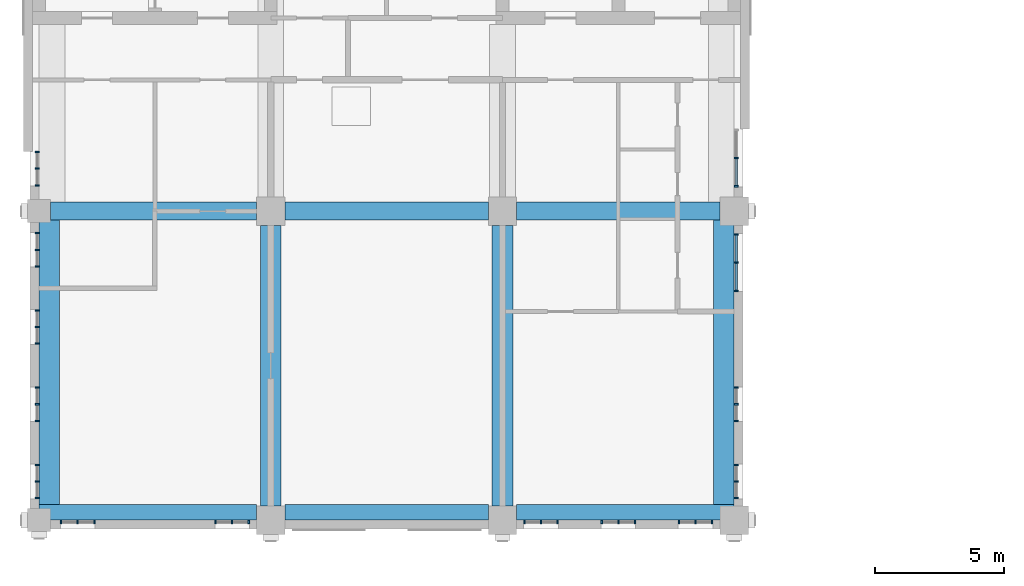
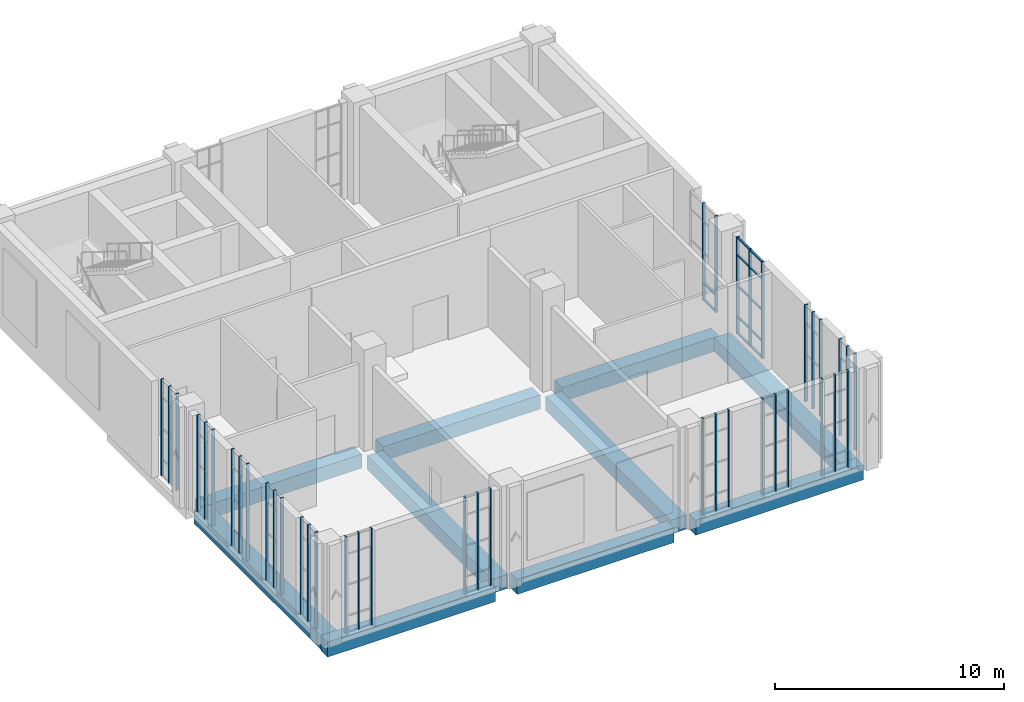
# One storey, part 2 of 39: 53 members, 10 beams, 14 elements without a shape of their own.
"""IFC4 building model written with IfcOpenShell, lengths in metres."""

from ifc_helpers import new_model, si_unit, direction, frame, origin, origin_2d, place, context, subcontext, project, spatial, rectangle, extrude, material, layer, layer_set, material_profile, profile_set, type_object, element, aggregate, save


model = new_model("IFC4")

# Units and contexts
model_context = context("Model", 3, precision=1e-05, world=origin(), true_north=direction((0.0, 1.0)))
body_context = subcontext(model_context, "Body", "Model", "MODEL_VIEW")
ifc_project = project(units=[si_unit("LENGTHUNIT", "METRE"), si_unit("AREAUNIT", "SQUARE_METRE"), si_unit("VOLUMEUNIT", "CUBIC_METRE"), si_unit("PLANEANGLEUNIT", "RADIAN"), si_unit("MASSUNIT", "GRAM", prefix="KILO")], contexts=[model_context])

# Site, building, storey
site_placement = place(None, origin())
site = spatial("IfcSite", under=ifc_project, at=site_placement, CompositionType="ELEMENT")
building_placement = place(site_placement, origin())
building = spatial("IfcBuilding", under=site, at=building_placement, Name="Aurelan Courthouse", CompositionType="ELEMENT")
storey_placement = place(building_placement, frame((0.0, 0.0, 28.199951171875)))
storey = spatial("IfcBuildingStorey", under=building, at=storey_placement, Name="L05", CompositionType="ELEMENT", Elevation=28.199951171875)

# Curtain wall, members
ifc_material_1 = material(Name="Bronze-finished aluminium and glass", Category="aluminium")
ifc_layer_1 = layer(ifc_material_1, 0.14990234375)
ifc_layer_set_1 = layer_set([ifc_layer_1], Name="Bronze-finished aluminium and glass")
curtain_wall_type_1 = type_object("IfcCurtainWallType", Name="Curtain wall 1350 x 5150", PredefinedType="NOTDEFINED", material=ifc_layer_set_1)
curtain_wall_1_placement = place(storey_placement, origin())
curtain_wall_1 = element("IfcCurtainWall", 1, at=curtain_wall_1_placement, inside=storey, type_object=curtain_wall_type_1, Name="Curtain wall CW-V5-L05-S01", PredefinedType="NOTDEFINED")
ifc_material_2 = material(Name="Bronze-finished aluminium", Category="aluminium")
ifc_material_profile_1 = material_profile(ifc_material_2, rectangle(XDim=0.14990234375, YDim=0.06005859375, at=origin_2d()), Name="Bronze mullion 60 x 150")
ifc_profile_set_1 = profile_set([ifc_material_profile_1], Name="Bronze-finished aluminium")
member_type_1 = type_object("IfcMemberType", Name="Curtain wall mullion 60 x 150", PredefinedType="MULLION", material=ifc_profile_set_1)
member_1_placement = place(storey_placement, frame((0.85498046875, -0.074951171875, 0.0), z_axis=(0.0, 0.0, 1.0), x_axis=(0.0, 1.0, 0.0)))
member_1 = element("IfcMember", 2, at=member_1_placement, type_object=member_type_1, Name="CW-V5-L05-S01 mullion 1", PredefinedType="MULLION", context=body_context, shape_type="SweptSolid", body=[
    extrude(rectangle(XDim=0.14990234375, YDim=0.06005859375, at=origin_2d()), origin(), (0.0, 0.0, 1.0), 5.150146484375),
])
member_2_placement = place(storey_placement, frame((1.5, -0.074951171875, 0.0), z_axis=(0.0, 0.0, 1.0), x_axis=(0.0, 1.0, 0.0)))
member_2 = element("IfcMember", 3, at=member_2_placement, type_object=member_type_1, Name="CW-V5-L05-S01 mullion 2", PredefinedType="MULLION", context=body_context, shape_type="SweptSolid", body=[
    extrude(rectangle(XDim=0.14990234375, YDim=0.06005859375, at=origin_2d()), origin(), (0.0, 0.0, 1.0), 5.150146484375),
])
member_3_placement = place(storey_placement, frame((2.14501953125, -0.074951171875, 0.0), z_axis=(0.0, 0.0, 1.0), x_axis=(0.0, 1.0, 0.0)))
member_3 = element("IfcMember", 4, at=member_3_placement, type_object=member_type_1, Name="CW-V5-L05-S01 mullion 3", PredefinedType="MULLION", context=body_context, shape_type="SweptSolid", body=[
    extrude(rectangle(XDim=0.14990234375, YDim=0.06005859375, at=origin_2d()), origin(), (0.0, 0.0, 1.0), 5.150146484375),
])
aggregate(curtain_wall_1, [member_1, member_2, member_3])

curtain_wall_2_placement = place(storey_placement, origin())
curtain_wall_2 = element("IfcCurtainWall", 5, at=curtain_wall_2_placement, inside=storey, type_object=curtain_wall_type_1, Name="Curtain wall CW-V5-L05-S02", PredefinedType="NOTDEFINED")
member_4_placement = place(storey_placement, frame((6.85498046875, -0.074951171875, 0.0), z_axis=(0.0, 0.0, 1.0), x_axis=(0.0, 1.0, 0.0)))
member_4 = element("IfcMember", 6, at=member_4_placement, type_object=member_type_1, Name="CW-V5-L05-S02 mullion 1", PredefinedType="MULLION", context=body_context, shape_type="SweptSolid", body=[
    extrude(rectangle(XDim=0.14990234375, YDim=0.06005859375, at=origin_2d()), origin(), (0.0, 0.0, 1.0), 5.150146484375),
])
member_5_placement = place(storey_placement, frame((7.5, -0.074951171875, 0.0), z_axis=(0.0, 0.0, 1.0), x_axis=(0.0, 1.0, 0.0)))
member_5 = element("IfcMember", 7, at=member_5_placement, type_object=member_type_1, Name="CW-V5-L05-S02 mullion 2", PredefinedType="MULLION", context=body_context, shape_type="SweptSolid", body=[
    extrude(rectangle(XDim=0.14990234375, YDim=0.06005859375, at=origin_2d()), origin(), (0.0, 0.0, 1.0), 5.150146484375),
])
member_6_placement = place(storey_placement, frame((8.14501953125, -0.074951171875, 0.0), z_axis=(0.0, 0.0, 1.0), x_axis=(0.0, 1.0, 0.0)))
member_6 = element("IfcMember", 8, at=member_6_placement, type_object=member_type_1, Name="CW-V5-L05-S02 mullion 3", PredefinedType="MULLION", context=body_context, shape_type="SweptSolid", body=[
    extrude(rectangle(XDim=0.14990234375, YDim=0.06005859375, at=origin_2d()), origin(), (0.0, 0.0, 1.0), 5.150146484375),
])
aggregate(curtain_wall_2, [member_4, member_5, member_6])

curtain_wall_3_placement = place(storey_placement, origin())
curtain_wall_3 = element("IfcCurtainWall", 9, at=curtain_wall_3_placement, inside=storey, type_object=curtain_wall_type_1, Name="Curtain wall CW-V5-L05-S03", PredefinedType="NOTDEFINED")
member_7_placement = place(storey_placement, frame((18.85498046875, -0.074951171875, 0.0), z_axis=(0.0, 0.0, 1.0), x_axis=(0.0, 1.0, 0.0)))
member_7 = element("IfcMember", 10, at=member_7_placement, type_object=member_type_1, Name="CW-V5-L05-S03 mullion 1", PredefinedType="MULLION", context=body_context, shape_type="SweptSolid", body=[
    extrude(rectangle(XDim=0.14990234375, YDim=0.06005859375, at=origin_2d()), origin(), (0.0, 0.0, 1.0), 5.150146484375),
])
member_8_placement = place(storey_placement, frame((19.5, -0.074951171875, 0.0), z_axis=(0.0, 0.0, 1.0), x_axis=(0.0, 1.0, 0.0)))
member_8 = element("IfcMember", 11, at=member_8_placement, type_object=member_type_1, Name="CW-V5-L05-S03 mullion 2", PredefinedType="MULLION", context=body_context, shape_type="SweptSolid", body=[
    extrude(rectangle(XDim=0.14990234375, YDim=0.06005859375, at=origin_2d()), origin(), (0.0, 0.0, 1.0), 5.150146484375),
])
member_9_placement = place(storey_placement, frame((20.14501953125, -0.074951171875, 0.0), z_axis=(0.0, 0.0, 1.0), x_axis=(0.0, 1.0, 0.0)))
member_9 = element("IfcMember", 12, at=member_9_placement, type_object=member_type_1, Name="CW-V5-L05-S03 mullion 3", PredefinedType="MULLION", context=body_context, shape_type="SweptSolid", body=[
    extrude(rectangle(XDim=0.14990234375, YDim=0.06005859375, at=origin_2d()), origin(), (0.0, 0.0, 1.0), 5.150146484375),
])
aggregate(curtain_wall_3, [member_7, member_8, member_9])

curtain_wall_4_placement = place(storey_placement, origin())
curtain_wall_4 = element("IfcCurtainWall", 13, at=curtain_wall_4_placement, inside=storey, type_object=curtain_wall_type_1, Name="Curtain wall CW-V5-L05-S04", PredefinedType="NOTDEFINED")
member_10_placement = place(storey_placement, frame((21.85498046875, -0.074951171875, 0.0), z_axis=(0.0, 0.0, 1.0), x_axis=(0.0, 1.0, 0.0)))
member_10 = element("IfcMember", 14, at=member_10_placement, type_object=member_type_1, Name="CW-V5-L05-S04 mullion 1", PredefinedType="MULLION", context=body_context, shape_type="SweptSolid", body=[
    extrude(rectangle(XDim=0.14990234375, YDim=0.06005859375, at=origin_2d()), origin(), (0.0, 0.0, 1.0), 5.150146484375),
])
member_11_placement = place(storey_placement, frame((22.5, -0.074951171875, 0.0), z_axis=(0.0, 0.0, 1.0), x_axis=(0.0, 1.0, 0.0)))
member_11 = element("IfcMember", 15, at=member_11_placement, type_object=member_type_1, Name="CW-V5-L05-S04 mullion 2", PredefinedType="MULLION", context=body_context, shape_type="SweptSolid", body=[
    extrude(rectangle(XDim=0.14990234375, YDim=0.06005859375, at=origin_2d()), origin(), (0.0, 0.0, 1.0), 5.150146484375),
])
member_12_placement = place(storey_placement, frame((23.14501953125, -0.074951171875, 0.0), z_axis=(0.0, 0.0, 1.0), x_axis=(0.0, 1.0, 0.0)))
member_12 = element("IfcMember", 16, at=member_12_placement, type_object=member_type_1, Name="CW-V5-L05-S04 mullion 3", PredefinedType="MULLION", context=body_context, shape_type="SweptSolid", body=[
    extrude(rectangle(XDim=0.14990234375, YDim=0.06005859375, at=origin_2d()), origin(), (0.0, 0.0, 1.0), 5.150146484375),
])
aggregate(curtain_wall_4, [member_10, member_11, member_12])

curtain_wall_5_placement = place(storey_placement, origin())
curtain_wall_5 = element("IfcCurtainWall", 17, at=curtain_wall_5_placement, inside=storey, type_object=curtain_wall_type_1, Name="Curtain wall CW-V5-L05-S05", PredefinedType="NOTDEFINED")
member_13_placement = place(storey_placement, frame((24.85498046875, -0.074951171875, 0.0), z_axis=(0.0, 0.0, 1.0), x_axis=(0.0, 1.0, 0.0)))
member_13 = element("IfcMember", 18, at=member_13_placement, type_object=member_type_1, Name="CW-V5-L05-S05 mullion 1", PredefinedType="MULLION", context=body_context, shape_type="SweptSolid", body=[
    extrude(rectangle(XDim=0.14990234375, YDim=0.06005859375, at=origin_2d()), origin(), (0.0, 0.0, 1.0), 5.150146484375),
])
member_14_placement = place(storey_placement, frame((25.5, -0.074951171875, 0.0), z_axis=(0.0, 0.0, 1.0), x_axis=(0.0, 1.0, 0.0)))
member_14 = element("IfcMember", 19, at=member_14_placement, type_object=member_type_1, Name="CW-V5-L05-S05 mullion 2", PredefinedType="MULLION", context=body_context, shape_type="SweptSolid", body=[
    extrude(rectangle(XDim=0.14990234375, YDim=0.06005859375, at=origin_2d()), origin(), (0.0, 0.0, 1.0), 5.150146484375),
])
member_15_placement = place(storey_placement, frame((26.14501953125, -0.074951171875, 0.0), z_axis=(0.0, 0.0, 1.0), x_axis=(0.0, 1.0, 0.0)))
member_15 = element("IfcMember", 20, at=member_15_placement, type_object=member_type_1, Name="CW-V5-L05-S05 mullion 3", PredefinedType="MULLION", context=body_context, shape_type="SweptSolid", body=[
    extrude(rectangle(XDim=0.14990234375, YDim=0.06005859375, at=origin_2d()), origin(), (0.0, 0.0, 1.0), 5.150146484375),
])
aggregate(curtain_wall_5, [member_13, member_14, member_15])

curtain_wall_6_placement = place(storey_placement, origin())
curtain_wall_6 = element("IfcCurtainWall", 21, at=curtain_wall_6_placement, inside=storey, type_object=curtain_wall_type_1, Name="Curtain wall CW-V5-L05-E01", PredefinedType="NOTDEFINED")
member_16_placement = place(storey_placement, frame((27.074951171875, 0.85498046875, 0.0), z_axis=(0.0, 0.0, 1.0), x_axis=(-1.0, 0.0, 0.0)))
member_16 = element("IfcMember", 22, at=member_16_placement, type_object=member_type_1, Name="CW-V5-L05-E01 mullion 1", PredefinedType="MULLION", context=body_context, shape_type="SweptSolid", body=[
    extrude(rectangle(XDim=0.14990234375, YDim=0.06005859375, at=origin_2d()), origin(), (0.0, 0.0, 1.0), 5.150146484375),
])
member_17_placement = place(storey_placement, frame((27.074951171875, 1.5, 0.0), z_axis=(0.0, 0.0, 1.0), x_axis=(-1.0, 0.0, 0.0)))
member_17 = element("IfcMember", 23, at=member_17_placement, type_object=member_type_1, Name="CW-V5-L05-E01 mullion 2", PredefinedType="MULLION", context=body_context, shape_type="SweptSolid", body=[
    extrude(rectangle(XDim=0.14990234375, YDim=0.06005859375, at=origin_2d()), origin(), (0.0, 0.0, 1.0), 5.150146484375),
])
member_18_placement = place(storey_placement, frame((27.074951171875, 2.14501953125, 0.0), z_axis=(0.0, 0.0, 1.0), x_axis=(-1.0, 0.0, 0.0)))
member_18 = element("IfcMember", 24, at=member_18_placement, type_object=member_type_1, Name="CW-V5-L05-E01 mullion 3", PredefinedType="MULLION", context=body_context, shape_type="SweptSolid", body=[
    extrude(rectangle(XDim=0.14990234375, YDim=0.06005859375, at=origin_2d()), origin(), (0.0, 0.0, 1.0), 5.150146484375),
])
aggregate(curtain_wall_6, [member_16, member_17, member_18])

curtain_wall_7_placement = place(storey_placement, origin())
curtain_wall_7 = element("IfcCurtainWall", 25, at=curtain_wall_7_placement, inside=storey, type_object=curtain_wall_type_1, Name="Curtain wall CW-V5-L05-E02", PredefinedType="NOTDEFINED")
member_19_placement = place(storey_placement, frame((27.074951171875, 3.85498046875, 0.0), z_axis=(0.0, 0.0, 1.0), x_axis=(-1.0, 0.0, 0.0)))
member_19 = element("IfcMember", 26, at=member_19_placement, type_object=member_type_1, Name="CW-V5-L05-E02 mullion 1", PredefinedType="MULLION", context=body_context, shape_type="SweptSolid", body=[
    extrude(rectangle(XDim=0.14990234375, YDim=0.06005859375, at=origin_2d()), origin(), (0.0, 0.0, 1.0), 5.150146484375),
])
member_20_placement = place(storey_placement, frame((27.074951171875, 4.5, 0.0), z_axis=(0.0, 0.0, 1.0), x_axis=(-1.0, 0.0, 0.0)))
member_20 = element("IfcMember", 27, at=member_20_placement, type_object=member_type_1, Name="CW-V5-L05-E02 mullion 2", PredefinedType="MULLION", context=body_context, shape_type="SweptSolid", body=[
    extrude(rectangle(XDim=0.14990234375, YDim=0.06005859375, at=origin_2d()), origin(), (0.0, 0.0, 1.0), 5.150146484375),
])
member_21_placement = place(storey_placement, frame((27.074951171875, 5.14501953125, 0.0), z_axis=(0.0, 0.0, 1.0), x_axis=(-1.0, 0.0, 0.0)))
member_21 = element("IfcMember", 28, at=member_21_placement, type_object=member_type_1, Name="CW-V5-L05-E02 mullion 3", PredefinedType="MULLION", context=body_context, shape_type="SweptSolid", body=[
    extrude(rectangle(XDim=0.14990234375, YDim=0.06005859375, at=origin_2d()), origin(), (0.0, 0.0, 1.0), 5.150146484375),
])
aggregate(curtain_wall_7, [member_19, member_20, member_21])

ifc_layer_2 = layer(ifc_material_1, 0.14990234375)
ifc_layer_set_2 = layer_set([ifc_layer_2], Name="Bronze-finished aluminium and glass")
curtain_wall_type_2 = type_object("IfcCurtainWallType", Name="Curtain wall 2250 x 5150", PredefinedType="NOTDEFINED", material=ifc_layer_set_2)
curtain_wall_8_placement = place(storey_placement, origin())
curtain_wall_8 = element("IfcCurtainWall", 29, at=curtain_wall_8_placement, inside=storey, type_object=curtain_wall_type_2, Name="Curtain wall CW-V5-L05-E03", PredefinedType="NOTDEFINED")
member_22_placement = place(storey_placement, frame((27.074951171875, 8.905029296875, 0.0), z_axis=(0.0, 0.0, 1.0), x_axis=(-1.0, 0.0, 0.0)))
member_22 = element("IfcMember", 30, at=member_22_placement, type_object=member_type_1, Name="CW-V5-L05-E03 mullion 1", PredefinedType="MULLION", context=body_context, shape_type="SweptSolid", body=[
    extrude(rectangle(XDim=0.14990234375, YDim=0.06005859375, at=origin_2d()), origin(), (0.0, 0.0, 1.0), 5.150146484375),
])
member_23_placement = place(storey_placement, frame((27.074951171875, 10.0, 0.0), z_axis=(0.0, 0.0, 1.0), x_axis=(-1.0, 0.0, 0.0)))
member_23 = element("IfcMember", 31, at=member_23_placement, type_object=member_type_1, Name="CW-V5-L05-E03 mullion 2", PredefinedType="MULLION", context=body_context, shape_type="SweptSolid", body=[
    extrude(rectangle(XDim=0.14990234375, YDim=0.06005859375, at=origin_2d()), origin(), (0.0, 0.0, 1.0), 5.150146484375),
])
member_24_placement = place(storey_placement, frame((27.074951171875, 11.094970703125, 0.0), z_axis=(0.0, 0.0, 1.0), x_axis=(-1.0, 0.0, 0.0)))
member_24 = element("IfcMember", 32, at=member_24_placement, type_object=member_type_1, Name="CW-V5-L05-E03 mullion 3", PredefinedType="MULLION", context=body_context, shape_type="SweptSolid", body=[
    extrude(rectangle(XDim=0.14990234375, YDim=0.06005859375, at=origin_2d()), origin(), (0.0, 0.0, 1.0), 5.150146484375),
])

curtain_wall_9_placement = place(storey_placement, origin())
curtain_wall_9 = element("IfcCurtainWall", 33, at=curtain_wall_9_placement, inside=storey, type_object=curtain_wall_type_2, Name="Curtain wall CW-V5-L05-E04", PredefinedType="NOTDEFINED")
member_25_placement = place(storey_placement, frame((27.074951171875, 12.967529296875, 0.0), z_axis=(0.0, 0.0, 1.0), x_axis=(-1.0, 0.0, 0.0)))
member_25 = element("IfcMember", 34, at=member_25_placement, type_object=member_type_1, Name="CW-V5-L05-E04 mullion 1", PredefinedType="MULLION", context=body_context, shape_type="SweptSolid", body=[
    extrude(rectangle(XDim=0.14990234375, YDim=0.06005859375, at=origin_2d()), origin(), (0.0, 0.0, 1.0), 5.150146484375),
])
member_26_placement = place(storey_placement, frame((27.074951171875, 14.0625, 0.0), z_axis=(0.0, 0.0, 1.0), x_axis=(-1.0, 0.0, 0.0)))
member_26 = element("IfcMember", 35, at=member_26_placement, type_object=member_type_1, Name="CW-V5-L05-E04 mullion 2", PredefinedType="MULLION", context=body_context, shape_type="SweptSolid", body=[
    extrude(rectangle(XDim=0.14990234375, YDim=0.06005859375, at=origin_2d()), origin(), (0.0, 0.0, 1.0), 5.150146484375),
])

curtain_wall_10_placement = place(storey_placement, origin())
curtain_wall_10 = element("IfcCurtainWall", 36, at=curtain_wall_10_placement, inside=storey, type_object=curtain_wall_type_1, Name="Curtain wall CW-V5-L05-W01", PredefinedType="NOTDEFINED")
member_27_placement = place(storey_placement, frame((-0.074951171875, 0.85498046875, 0.0), z_axis=(0.0, 0.0, 1.0), x_axis=(-1.0, 0.0, 0.0)))
member_27 = element("IfcMember", 37, at=member_27_placement, type_object=member_type_1, Name="CW-V5-L05-W01 mullion 1", PredefinedType="MULLION", context=body_context, shape_type="SweptSolid", body=[
    extrude(rectangle(XDim=0.14990234375, YDim=0.06005859375, at=origin_2d()), origin(), (0.0, 0.0, 1.0), 5.150146484375),
])
member_28_placement = place(storey_placement, frame((-0.074951171875, 1.5, 0.0), z_axis=(0.0, 0.0, 1.0), x_axis=(-1.0, 0.0, 0.0)))
member_28 = element("IfcMember", 38, at=member_28_placement, type_object=member_type_1, Name="CW-V5-L05-W01 mullion 2", PredefinedType="MULLION", context=body_context, shape_type="SweptSolid", body=[
    extrude(rectangle(XDim=0.14990234375, YDim=0.06005859375, at=origin_2d()), origin(), (0.0, 0.0, 1.0), 5.150146484375),
])
member_29_placement = place(storey_placement, frame((-0.074951171875, 2.14501953125, 0.0), z_axis=(0.0, 0.0, 1.0), x_axis=(-1.0, 0.0, 0.0)))
member_29 = element("IfcMember", 39, at=member_29_placement, type_object=member_type_1, Name="CW-V5-L05-W01 mullion 3", PredefinedType="MULLION", context=body_context, shape_type="SweptSolid", body=[
    extrude(rectangle(XDim=0.14990234375, YDim=0.06005859375, at=origin_2d()), origin(), (0.0, 0.0, 1.0), 5.150146484375),
])
aggregate(curtain_wall_10, [member_27, member_28, member_29])

curtain_wall_11_placement = place(storey_placement, origin())
curtain_wall_11 = element("IfcCurtainWall", 40, at=curtain_wall_11_placement, inside=storey, type_object=curtain_wall_type_1, Name="Curtain wall CW-V5-L05-W02", PredefinedType="NOTDEFINED")
member_30_placement = place(storey_placement, frame((-0.074951171875, 3.85498046875, 0.0), z_axis=(0.0, 0.0, 1.0), x_axis=(-1.0, 0.0, 0.0)))
member_30 = element("IfcMember", 41, at=member_30_placement, type_object=member_type_1, Name="CW-V5-L05-W02 mullion 1", PredefinedType="MULLION", context=body_context, shape_type="SweptSolid", body=[
    extrude(rectangle(XDim=0.14990234375, YDim=0.06005859375, at=origin_2d()), origin(), (0.0, 0.0, 1.0), 5.150146484375),
])
member_31_placement = place(storey_placement, frame((-0.074951171875, 4.5, 0.0), z_axis=(0.0, 0.0, 1.0), x_axis=(-1.0, 0.0, 0.0)))
member_31 = element("IfcMember", 42, at=member_31_placement, type_object=member_type_1, Name="CW-V5-L05-W02 mullion 2", PredefinedType="MULLION", context=body_context, shape_type="SweptSolid", body=[
    extrude(rectangle(XDim=0.14990234375, YDim=0.06005859375, at=origin_2d()), origin(), (0.0, 0.0, 1.0), 5.150146484375),
])
member_32_placement = place(storey_placement, frame((-0.074951171875, 5.14501953125, 0.0), z_axis=(0.0, 0.0, 1.0), x_axis=(-1.0, 0.0, 0.0)))
member_32 = element("IfcMember", 43, at=member_32_placement, type_object=member_type_1, Name="CW-V5-L05-W02 mullion 3", PredefinedType="MULLION", context=body_context, shape_type="SweptSolid", body=[
    extrude(rectangle(XDim=0.14990234375, YDim=0.06005859375, at=origin_2d()), origin(), (0.0, 0.0, 1.0), 5.150146484375),
])
aggregate(curtain_wall_11, [member_30, member_31, member_32])

curtain_wall_12_placement = place(storey_placement, origin())
curtain_wall_12 = element("IfcCurtainWall", 44, at=curtain_wall_12_placement, inside=storey, type_object=curtain_wall_type_1, Name="Curtain wall CW-V5-L05-W03", PredefinedType="NOTDEFINED")
member_33_placement = place(storey_placement, frame((-0.074951171875, 6.85498046875, 0.0), z_axis=(0.0, 0.0, 1.0), x_axis=(-1.0, 0.0, 0.0)))
member_33 = element("IfcMember", 45, at=member_33_placement, type_object=member_type_1, Name="CW-V5-L05-W03 mullion 1", PredefinedType="MULLION", context=body_context, shape_type="SweptSolid", body=[
    extrude(rectangle(XDim=0.14990234375, YDim=0.06005859375, at=origin_2d()), origin(), (0.0, 0.0, 1.0), 5.150146484375),
])
member_34_placement = place(storey_placement, frame((-0.074951171875, 7.5, 0.0), z_axis=(0.0, 0.0, 1.0), x_axis=(-1.0, 0.0, 0.0)))
member_34 = element("IfcMember", 46, at=member_34_placement, type_object=member_type_1, Name="CW-V5-L05-W03 mullion 2", PredefinedType="MULLION", context=body_context, shape_type="SweptSolid", body=[
    extrude(rectangle(XDim=0.14990234375, YDim=0.06005859375, at=origin_2d()), origin(), (0.0, 0.0, 1.0), 5.150146484375),
])
member_35_placement = place(storey_placement, frame((-0.074951171875, 8.14501953125, 0.0), z_axis=(0.0, 0.0, 1.0), x_axis=(-1.0, 0.0, 0.0)))
member_35 = element("IfcMember", 47, at=member_35_placement, type_object=member_type_1, Name="CW-V5-L05-W03 mullion 3", PredefinedType="MULLION", context=body_context, shape_type="SweptSolid", body=[
    extrude(rectangle(XDim=0.14990234375, YDim=0.06005859375, at=origin_2d()), origin(), (0.0, 0.0, 1.0), 5.150146484375),
])
aggregate(curtain_wall_12, [member_33, member_34, member_35])

curtain_wall_13_placement = place(storey_placement, origin())
curtain_wall_13 = element("IfcCurtainWall", 48, at=curtain_wall_13_placement, inside=storey, type_object=curtain_wall_type_1, Name="Curtain wall CW-V5-L05-W04", PredefinedType="NOTDEFINED")
member_36_placement = place(storey_placement, frame((-0.074951171875, 9.85498046875, 0.0), z_axis=(0.0, 0.0, 1.0), x_axis=(-1.0, 0.0, 0.0)))
member_36 = element("IfcMember", 49, at=member_36_placement, type_object=member_type_1, Name="CW-V5-L05-W04 mullion 1", PredefinedType="MULLION", context=body_context, shape_type="SweptSolid", body=[
    extrude(rectangle(XDim=0.14990234375, YDim=0.06005859375, at=origin_2d()), origin(), (0.0, 0.0, 1.0), 5.150146484375),
])
member_37_placement = place(storey_placement, frame((-0.074951171875, 10.5, 0.0), z_axis=(0.0, 0.0, 1.0), x_axis=(-1.0, 0.0, 0.0)))
member_37 = element("IfcMember", 50, at=member_37_placement, type_object=member_type_1, Name="CW-V5-L05-W04 mullion 2", PredefinedType="MULLION", context=body_context, shape_type="SweptSolid", body=[
    extrude(rectangle(XDim=0.14990234375, YDim=0.06005859375, at=origin_2d()), origin(), (0.0, 0.0, 1.0), 5.150146484375),
])
member_38_placement = place(storey_placement, frame((-0.074951171875, 11.14501953125, 0.0), z_axis=(0.0, 0.0, 1.0), x_axis=(-1.0, 0.0, 0.0)))
member_38 = element("IfcMember", 51, at=member_38_placement, type_object=member_type_1, Name="CW-V5-L05-W04 mullion 3", PredefinedType="MULLION", context=body_context, shape_type="SweptSolid", body=[
    extrude(rectangle(XDim=0.14990234375, YDim=0.06005859375, at=origin_2d()), origin(), (0.0, 0.0, 1.0), 5.150146484375),
])
aggregate(curtain_wall_13, [member_36, member_37, member_38])

curtain_wall_14_placement = place(storey_placement, origin())
curtain_wall_14 = element("IfcCurtainWall", 52, at=curtain_wall_14_placement, inside=storey, type_object=curtain_wall_type_1, Name="Curtain wall CW-V5-L05-W05", PredefinedType="NOTDEFINED")
member_39_placement = place(storey_placement, frame((-0.074951171875, 13.0048828125, 0.0), z_axis=(0.0, 0.0, 1.0), x_axis=(-1.0, 0.0, 0.0)))
member_39 = element("IfcMember", 53, at=member_39_placement, type_object=member_type_1, Name="CW-V5-L05-W05 mullion 1", PredefinedType="MULLION", context=body_context, shape_type="SweptSolid", body=[
    extrude(rectangle(XDim=0.14990234375, YDim=0.06005859375, at=origin_2d()), origin(), (0.0, 0.0, 1.0), 5.150146484375),
])
member_40_placement = place(storey_placement, frame((-0.074951171875, 13.64990234375, 0.0), z_axis=(0.0, 0.0, 1.0), x_axis=(-1.0, 0.0, 0.0)))
member_40 = element("IfcMember", 54, at=member_40_placement, type_object=member_type_1, Name="CW-V5-L05-W05 mullion 2", PredefinedType="MULLION", context=body_context, shape_type="SweptSolid", body=[
    extrude(rectangle(XDim=0.14990234375, YDim=0.06005859375, at=origin_2d()), origin(), (0.0, 0.0, 1.0), 5.150146484375),
])
member_41_placement = place(storey_placement, frame((-0.074951171875, 14.294921875, 0.0), z_axis=(0.0, 0.0, 1.0), x_axis=(-1.0, 0.0, 0.0)))
member_41 = element("IfcMember", 55, at=member_41_placement, type_object=member_type_1, Name="CW-V5-L05-W05 mullion 3", PredefinedType="MULLION", context=body_context, shape_type="SweptSolid", body=[
    extrude(rectangle(XDim=0.14990234375, YDim=0.06005859375, at=origin_2d()), origin(), (0.0, 0.0, 1.0), 5.150146484375),
])
aggregate(curtain_wall_14, [member_39, member_40, member_41])

# Member
ifc_material_profile_2 = material_profile(ifc_material_2, rectangle(XDim=0.10009765625, YDim=0.06005859375, at=origin_2d()), Name="Bronze transom 60 x 100")
ifc_profile_set_2 = profile_set([ifc_material_profile_2], Name="Bronze-finished aluminium")
member_type_2 = type_object("IfcMemberType", Name="Curtain wall transom 60 x 100", PredefinedType="USERDEFINED", material=ifc_profile_set_2)
member_42_placement = place(storey_placement, frame((27.074951171875, 8.93505859375, 0.030029296875), z_axis=(0.0, 1.0, 0.0), x_axis=(-1.0, 0.0, 0.0)))
member_42 = element("IfcMember", 56, at=member_42_placement, type_object=member_type_2, Name="CW-V5-L05-E03 transom 1.1", ObjectType="TRANSOM", PredefinedType="USERDEFINED", context=body_context, shape_type="SweptSolid", body=[
    extrude(rectangle(XDim=0.10009765625, YDim=0.06005859375, at=origin_2d()), origin(), (0.0, 0.0, 1.0), 1.034912109375),
])

member_43_placement = place(storey_placement, frame((27.074951171875, 8.93505859375, 0.900146484375), z_axis=(0.0, 1.0, 0.0), x_axis=(-1.0, 0.0, 0.0)))
member_43 = element("IfcMember", 57, at=member_43_placement, type_object=member_type_2, Name="CW-V5-L05-E03 transom 1.2", ObjectType="TRANSOM", PredefinedType="USERDEFINED", context=body_context, shape_type="SweptSolid", body=[
    extrude(rectangle(XDim=0.10009765625, YDim=0.06005859375, at=origin_2d()), origin(), (0.0, 0.0, 1.0), 1.034912109375),
])

member_44_placement = place(storey_placement, frame((27.074951171875, 8.93505859375, 2.550048828125), z_axis=(0.0, 1.0, 0.0), x_axis=(-1.0, 0.0, 0.0)))
member_44 = element("IfcMember", 58, at=member_44_placement, type_object=member_type_2, Name="CW-V5-L05-E03 transom 1.3", ObjectType="TRANSOM", PredefinedType="USERDEFINED", context=body_context, shape_type="SweptSolid", body=[
    extrude(rectangle(XDim=0.10009765625, YDim=0.06005859375, at=origin_2d()), origin(), (0.0, 0.0, 1.0), 1.034912109375),
])

member_45_placement = place(storey_placement, frame((27.074951171875, 8.93505859375, 4.199951171875), z_axis=(0.0, 1.0, 0.0), x_axis=(-1.0, 0.0, 0.0)))
member_45 = element("IfcMember", 59, at=member_45_placement, type_object=member_type_2, Name="CW-V5-L05-E03 transom 1.4", ObjectType="TRANSOM", PredefinedType="USERDEFINED", context=body_context, shape_type="SweptSolid", body=[
    extrude(rectangle(XDim=0.10009765625, YDim=0.06005859375, at=origin_2d()), origin(), (0.0, 0.0, 1.0), 1.034912109375),
])

member_46_placement = place(storey_placement, frame((27.074951171875, 8.93505859375, 5.1201171875), z_axis=(0.0, 1.0, 0.0), x_axis=(-1.0, 0.0, 0.0)))
member_46 = element("IfcMember", 60, at=member_46_placement, type_object=member_type_2, Name="CW-V5-L05-E03 transom 1.5", ObjectType="TRANSOM", PredefinedType="USERDEFINED", context=body_context, shape_type="SweptSolid", body=[
    extrude(rectangle(XDim=0.10009765625, YDim=0.06005859375, at=origin_2d()), origin(), (0.0, 0.0, 1.0), 1.034912109375),
])

member_47_placement = place(storey_placement, frame((27.074951171875, 10.030029296875, 0.030029296875), z_axis=(0.0, 1.0, 0.0), x_axis=(-1.0, 0.0, 0.0)))
member_47 = element("IfcMember", 61, at=member_47_placement, type_object=member_type_2, Name="CW-V5-L05-E03 transom 2.1", ObjectType="TRANSOM", PredefinedType="USERDEFINED", context=body_context, shape_type="SweptSolid", body=[
    extrude(rectangle(XDim=0.10009765625, YDim=0.06005859375, at=origin_2d()), origin(), (0.0, 0.0, 1.0), 1.034912109375),
])

member_48_placement = place(storey_placement, frame((27.074951171875, 10.030029296875, 0.900146484375), z_axis=(0.0, 1.0, 0.0), x_axis=(-1.0, 0.0, 0.0)))
member_48 = element("IfcMember", 62, at=member_48_placement, type_object=member_type_2, Name="CW-V5-L05-E03 transom 2.2", ObjectType="TRANSOM", PredefinedType="USERDEFINED", context=body_context, shape_type="SweptSolid", body=[
    extrude(rectangle(XDim=0.10009765625, YDim=0.06005859375, at=origin_2d()), origin(), (0.0, 0.0, 1.0), 1.034912109375),
])

member_49_placement = place(storey_placement, frame((27.074951171875, 10.030029296875, 2.550048828125), z_axis=(0.0, 1.0, 0.0), x_axis=(-1.0, 0.0, 0.0)))
member_49 = element("IfcMember", 63, at=member_49_placement, type_object=member_type_2, Name="CW-V5-L05-E03 transom 2.3", ObjectType="TRANSOM", PredefinedType="USERDEFINED", context=body_context, shape_type="SweptSolid", body=[
    extrude(rectangle(XDim=0.10009765625, YDim=0.06005859375, at=origin_2d()), origin(), (0.0, 0.0, 1.0), 1.034912109375),
])

member_50_placement = place(storey_placement, frame((27.074951171875, 10.030029296875, 4.199951171875), z_axis=(0.0, 1.0, 0.0), x_axis=(-1.0, 0.0, 0.0)))
member_50 = element("IfcMember", 64, at=member_50_placement, type_object=member_type_2, Name="CW-V5-L05-E03 transom 2.4", ObjectType="TRANSOM", PredefinedType="USERDEFINED", context=body_context, shape_type="SweptSolid", body=[
    extrude(rectangle(XDim=0.10009765625, YDim=0.06005859375, at=origin_2d()), origin(), (0.0, 0.0, 1.0), 1.034912109375),
])

member_51_placement = place(storey_placement, frame((27.074951171875, 10.030029296875, 5.1201171875), z_axis=(0.0, 1.0, 0.0), x_axis=(-1.0, 0.0, 0.0)))
member_51 = element("IfcMember", 65, at=member_51_placement, type_object=member_type_2, Name="CW-V5-L05-E03 transom 2.5", ObjectType="TRANSOM", PredefinedType="USERDEFINED", context=body_context, shape_type="SweptSolid", body=[
    extrude(rectangle(XDim=0.10009765625, YDim=0.06005859375, at=origin_2d()), origin(), (0.0, 0.0, 1.0), 1.034912109375),
])

aggregate(curtain_wall_8, [member_22, member_23, member_24, member_42, member_43, member_44, member_45, member_46, member_47, member_48, member_49, member_50, member_51])

member_52_placement = place(storey_placement, frame((27.074951171875, 12.99755859375, 0.030029296875), z_axis=(0.0, 1.0, 0.0), x_axis=(-1.0, 0.0, 0.0)))
member_52 = element("IfcMember", 66, at=member_52_placement, type_object=member_type_2, Name="CW-V5-L05-E04 transom 1.1", ObjectType="TRANSOM", PredefinedType="USERDEFINED", context=body_context, shape_type="SweptSolid", body=[
    extrude(rectangle(XDim=0.10009765625, YDim=0.06005859375, at=origin_2d()), origin(), (0.0, 0.0, 1.0), 1.034912109375),
])

member_53_placement = place(storey_placement, frame((27.074951171875, 12.99755859375, 0.900146484375), z_axis=(0.0, 1.0, 0.0), x_axis=(-1.0, 0.0, 0.0)))
member_53 = element("IfcMember", 67, at=member_53_placement, type_object=member_type_2, Name="CW-V5-L05-E04 transom 1.2", ObjectType="TRANSOM", PredefinedType="USERDEFINED", context=body_context, shape_type="SweptSolid", body=[
    extrude(rectangle(XDim=0.10009765625, YDim=0.06005859375, at=origin_2d()), origin(), (0.0, 0.0, 1.0), 1.034912109375),
])

aggregate(curtain_wall_9, [member_25, member_26, member_52, member_53])

# Beams
ifc_material_3 = material(Name="Concrete C50", Category="concrete")
ifc_material_profile_3 = material_profile(ifc_material_3, rectangle(XDim=0.699951171875, YDim=0.75, at=origin_2d()), Name="RC 700 x 750")
ifc_profile_set_3 = profile_set([ifc_material_profile_3], Name="Concrete C50")
beam_type_1 = type_object("IfcBeamType", Name="PT beam 700 x 750", PredefinedType="BEAM", material=ifc_profile_set_3)
beam_1_placement = place(storey_placement, frame((0.449951171875, 12.0, -0.625), z_axis=(1.0, 0.0, 0.0), x_axis=(0.0, 1.0, 0.0)))
element("IfcBeam", 68, at=beam_1_placement, inside=storey, type_object=beam_type_1, Name="Beam EB-B-1-2", PredefinedType="BEAM", context=body_context, shape_type="SweptSolid", body=[
    extrude(rectangle(XDim=0.699951171875, YDim=0.75, at=origin_2d()), origin(), (0.0, 0.0, 1.0), 8.0),
])
for number, where, z_axis, x_axis, name in (
    (69, (9.550048828125, 12.0, -0.625), (1.0, 0.0, 0.0), (0.0, 1.0, 0.0), "Beam EB-B-2-3"),
    (70, (18.550048828125, 12.0, -0.625), (1.0, 0.0, 0.0), (0.0, 1.0, 0.0), "Beam EB-B-3-4"),
):
    element("IfcBeam", number, at=place(storey_placement, frame(where, z_axis=z_axis, x_axis=x_axis)), inside=storey, type_object=beam_type_1, Name=name, PredefinedType="BEAM", context=body_context, shape_type="SweptSolid", body=[
        extrude(rectangle(XDim=0.699951171875, YDim=0.75, at=origin_2d()), origin(), (0.0, 0.0, 1.0), 7.89990234375),
    ])
ifc_material_profile_4 = material_profile(ifc_material_3, rectangle(XDim=0.800048828125, YDim=0.75, at=origin_2d()), Name="RC 800 x 750")
ifc_profile_set_4 = profile_set([ifc_material_profile_4], Name="Concrete C50")
beam_type_2 = type_object("IfcBeamType", Name="PT girder 800 x 750", PredefinedType="BEAM", material=ifc_profile_set_4)
beam_2_placement = place(storey_placement, frame((0.39990234375, 0.60009765625, -0.625), z_axis=(0.0, 1.0, 0.0), x_axis=(-1.0, 0.0, 0.0)))
element("IfcBeam", 71, at=beam_2_placement, inside=storey, type_object=beam_type_2, Name="Girder GB-1AB-E", PredefinedType="BEAM", context=body_context, shape_type="SweptSolid", body=[
    extrude(rectangle(XDim=0.800048828125, YDim=0.75, at=origin_2d()), origin(), (0.0, 0.0, 1.0), 11.0498046875),
])
for number, where, z_axis, x_axis, name in (
    (72, (9.0, 0.550048828125, -0.625), (0.0, 1.0, 0.0), (-1.0, 0.0, 0.0), "Girder GB-2AB"),
    (73, (18.0, 0.550048828125, -0.625), (0.0, 1.0, 0.0), (-1.0, 0.0, 0.0), "Girder GB-3AB"),
):
    element("IfcBeam", number, at=place(storey_placement, frame(where, z_axis=z_axis, x_axis=x_axis)), inside=storey, type_object=beam_type_2, Name=name, PredefinedType="BEAM", context=body_context, shape_type="SweptSolid", body=[
        extrude(rectangle(XDim=0.800048828125, YDim=0.75, at=origin_2d()), origin(), (0.0, 0.0, 1.0), 10.89990234375),
    ])
beam_3_placement = place(storey_placement, frame((26.60009765625, 0.60009765625, -0.625), z_axis=(0.0, 1.0, 0.0), x_axis=(-1.0, 0.0, 0.0)))
element("IfcBeam", 74, at=beam_3_placement, inside=storey, type_object=beam_type_2, Name="Girder GB-4AB-E", PredefinedType="BEAM", context=body_context, shape_type="SweptSolid", body=[
    extrude(rectangle(XDim=0.800048828125, YDim=0.75, at=origin_2d()), origin(), (0.0, 0.0, 1.0), 11.0498046875),
])
ifc_material_profile_5 = material_profile(ifc_material_3, rectangle(XDim=0.60009765625, YDim=0.800048828125, at=origin_2d()), Name="RC 600 x 800")
ifc_profile_set_5 = profile_set([ifc_material_profile_5], Name="Concrete C50")
beam_type_3 = type_object("IfcBeamType", Name="RC spandrel beam 600 x 800", PredefinedType="SPANDREL", material=ifc_profile_set_5)
beam_4_placement = place(storey_placement, frame((0.0, 0.300048828125, -0.64990234375), z_axis=(1.0, 0.0, 0.0), x_axis=(0.0, 1.0, 0.0)))
element("IfcBeam", 75, at=beam_4_placement, inside=storey, type_object=beam_type_3, Name="Spandrel beam SB-A-1-2", PredefinedType="SPANDREL", context=body_context, shape_type="SweptSolid", body=[
    extrude(rectangle(XDim=0.60009765625, YDim=0.800048828125, at=origin_2d()), origin(), (0.0, 0.0, 1.0), 8.449951171875),
])
beam_5_placement = place(storey_placement, frame((9.550048828125, 0.300048828125, -0.64990234375), z_axis=(1.0, 0.0, 0.0), x_axis=(0.0, 1.0, 0.0)))
element("IfcBeam", 76, at=beam_5_placement, inside=storey, type_object=beam_type_3, Name="Spandrel beam SB-A-2-3", PredefinedType="SPANDREL", context=body_context, shape_type="SweptSolid", body=[
    extrude(rectangle(XDim=0.60009765625, YDim=0.800048828125, at=origin_2d()), origin(), (0.0, 0.0, 1.0), 7.89990234375),
])
beam_6_placement = place(storey_placement, frame((18.550048828125, 0.300048828125, -0.64990234375), z_axis=(1.0, 0.0, 0.0), x_axis=(0.0, 1.0, 0.0)))
element("IfcBeam", 77, at=beam_6_placement, inside=storey, type_object=beam_type_3, Name="Spandrel beam SB-A-3-4", PredefinedType="SPANDREL", context=body_context, shape_type="SweptSolid", body=[
    extrude(rectangle(XDim=0.60009765625, YDim=0.800048828125, at=origin_2d()), origin(), (0.0, 0.0, 1.0), 8.449951171875),
])

save(model, "model.ifc")
